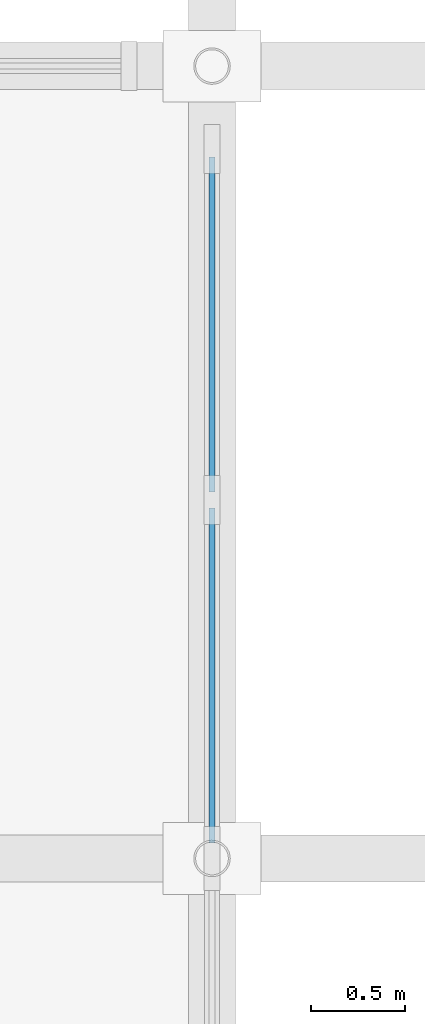
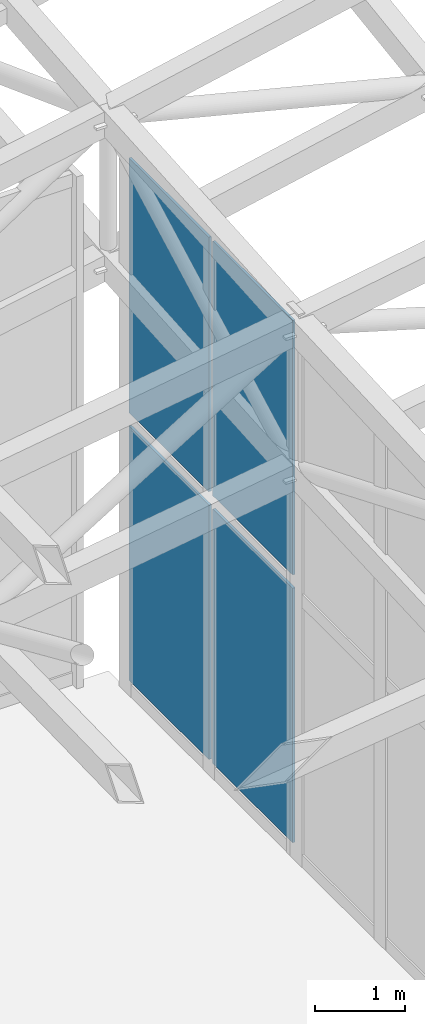
# One storey, part 70 of 111: 4 plates, 1 element without a shape of its own.
"""IFC4 building model written with IfcOpenShell, lengths in metres."""

from ifc_helpers import new_model, si_unit, direction, frame, origin, origin_2d, place, context, subcontext, project, spatial, rectangle, extrude, material, layer, layer_set, type_object, element, aggregate, save


model = new_model("IFC4")

# Units and contexts
model_context = context("Model", 3, precision=1e-05, world=origin(), true_north=direction((0.0, 1.0)))
body_context = subcontext(model_context, "Body", "Model", "MODEL_VIEW")
ifc_project = project(units=[si_unit("LENGTHUNIT", "METRE"), si_unit("AREAUNIT", "SQUARE_METRE"), si_unit("VOLUMEUNIT", "CUBIC_METRE"), si_unit("PLANEANGLEUNIT", "RADIAN"), si_unit("MASSUNIT", "GRAM", prefix="KILO")], contexts=[model_context])

# Site, building, storey
site_placement = place(None, origin())
site = spatial("IfcSite", under=ifc_project, at=site_placement, CompositionType="ELEMENT")
building_placement = place(site_placement, origin())
building = spatial("IfcBuilding", under=site, at=building_placement, Name="Cumbredor Promenade Congress Hotel", CompositionType="ELEMENT")
storey_placement = place(building_placement, frame((0.0, 0.0, 15.1201171875)))
storey = spatial("IfcBuildingStorey", under=building, at=storey_placement, Name="L04", CompositionType="ELEMENT", Elevation=15.1201171875)

# Curtain wall, plates
ifc_material_1 = material(Name="Thermally broken anodized aluminium and low-E glass", Category="aluminium")
curtain_wall_type = type_object("IfcCurtainWallType", Name="Stepped Pavilion Clerestory Curtain Wall CW-06", PredefinedType="NOTDEFINED", material=ifc_material_1)
curtain_wall_placement = place(storey_placement, origin())
curtain_wall = element("IfcCurtainWall", 1, at=curtain_wall_placement, inside=storey, type_object=curtain_wall_type, Name="Pre-Function and Breakout Meeting Forum E Glazed Clerestory 8", PredefinedType="NOTDEFINED")
ifc_material_2 = material(Name="Laminated low-E solar-control glass", Category="glass")
ifc_layer = layer(ifc_material_2, 0.031982421875, Name="Laminated low-E solar-control glass", Category="glass")
ifc_layer_set = layer_set([ifc_layer], Name="Laminated low-E solar-control glass")
plate_type = type_object("IfcPlateType", Name="Clerestory Glazed Vision Panel PNL-07", PredefinedType="CURTAIN_PANEL", material=ifc_layer_set)
plate_1_placement = place(storey_placement, frame((176.39990234375, 114.3701171875, 0.169921875), z_axis=(0.0, 0.0, 1.0), x_axis=(0.0, 1.0, 0.0)))
plate_1 = element("IfcPlate", 2, at=plate_1_placement, type_object=plate_type, Name="Pre-Function and Breakout Meeting Forum E Glazed Clerestory 8 Glazing Panel 1.1", PredefinedType="CURTAIN_PANEL", context=body_context, shape_type="SweptSolid", body=[
    extrude(rectangle(XDim=1.77490234375, YDim=0.031982421875, at=origin_2d()), origin(), (0.0, 0.0, 1.0), 3.449951171875),
])
plate_2_placement = place(storey_placement, frame((176.39990234375, 114.3701171875, 3.7998046875), z_axis=(0.0, 0.0, 1.0), x_axis=(0.0, 1.0, 0.0)))
plate_2 = element("IfcPlate", 3, at=plate_2_placement, type_object=plate_type, Name="Pre-Function and Breakout Meeting Forum E Glazed Clerestory 8 Glazing Panel 1.2", PredefinedType="CURTAIN_PANEL", context=body_context, shape_type="SweptSolid", body=[
    extrude(rectangle(XDim=1.77490234375, YDim=0.031982421875, at=origin_2d()), origin(), (0.0, 0.0, 1.0), 3.449951171875),
])
plate_3_placement = place(storey_placement, frame((176.39990234375, 116.22998046875, 0.169921875), z_axis=(0.0, 0.0, 1.0), x_axis=(0.0, 1.0, 0.0)))
plate_3 = element("IfcPlate", 4, at=plate_3_placement, type_object=plate_type, Name="Pre-Function and Breakout Meeting Forum E Glazed Clerestory 8 Glazing Panel 2.1", PredefinedType="CURTAIN_PANEL", context=body_context, shape_type="SweptSolid", body=[
    extrude(rectangle(XDim=1.77490234375, YDim=0.031982421875, at=origin_2d()), origin(), (0.0, 0.0, 1.0), 3.449951171875),
])
plate_4_placement = place(storey_placement, frame((176.39990234375, 116.22998046875, 3.7998046875), z_axis=(0.0, 0.0, 1.0), x_axis=(0.0, 1.0, 0.0)))
plate_4 = element("IfcPlate", 5, at=plate_4_placement, type_object=plate_type, Name="Pre-Function and Breakout Meeting Forum E Glazed Clerestory 8 Glazing Panel 2.2", PredefinedType="CURTAIN_PANEL", context=body_context, shape_type="SweptSolid", body=[
    extrude(rectangle(XDim=1.77490234375, YDim=0.031982421875, at=origin_2d()), origin(), (0.0, 0.0, 1.0), 3.449951171875),
])
aggregate(curtain_wall, [plate_1, plate_2, plate_3, plate_4])

save(model, "model.ifc")
